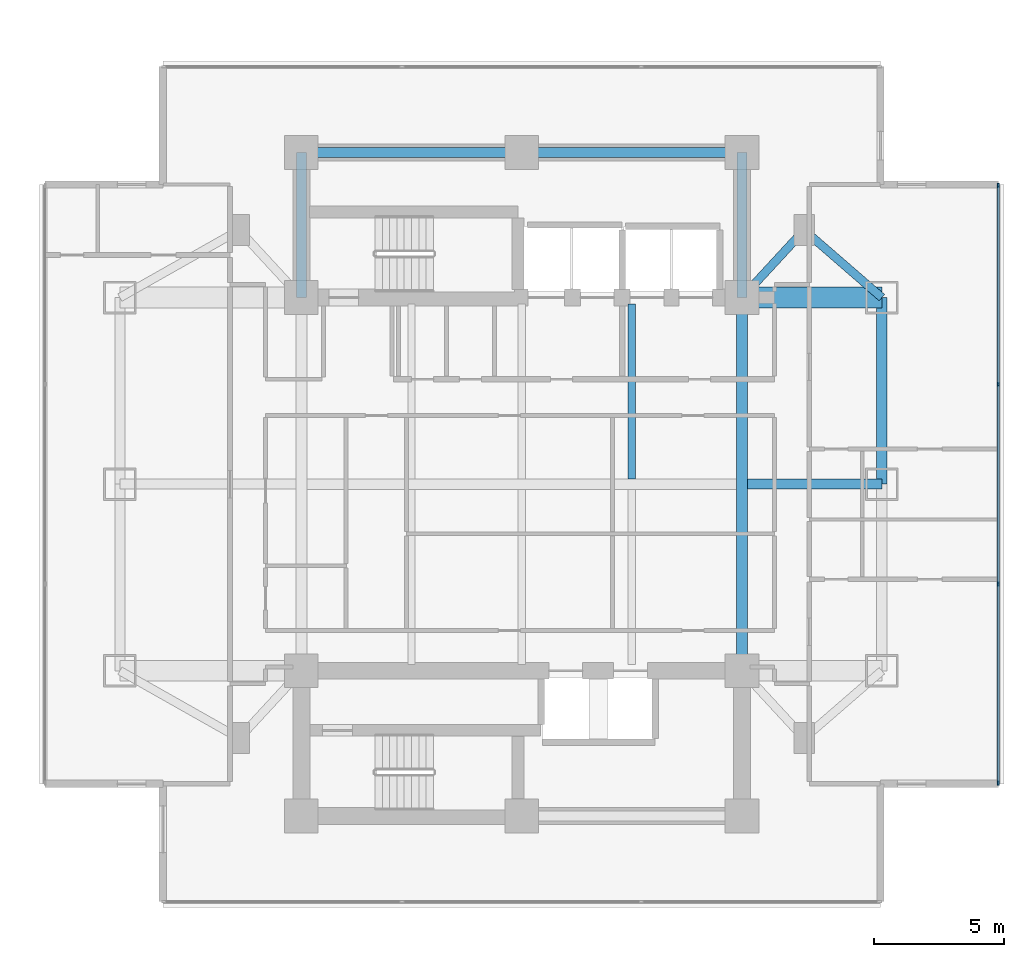
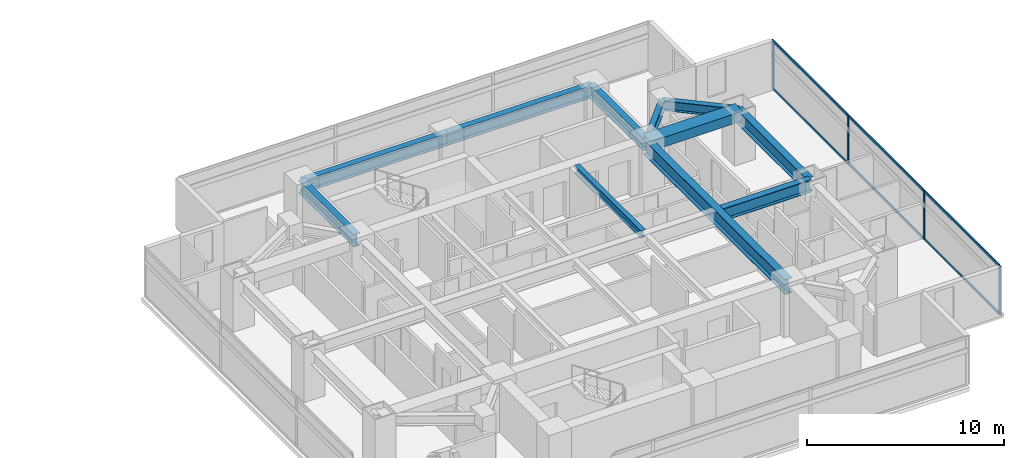
# One storey, part 10 of 24: 11 beams, 10 members, 1 element without a shape of its own.
"""IFC4 building model written with IfcOpenShell, lengths in metres."""

from ifc_helpers import new_model, si_unit, direction, frame, origin, origin_2d, place, context, subcontext, project, spatial, rectangle, i_section, extrude, material, material_profile, profile_set, type_object, element, aggregate, save


model = new_model("IFC4")

# Units and contexts
model_context = context("Model", 3, precision=1e-05, world=origin(), true_north=direction((0.0, 1.0)))
body_context = subcontext(model_context, "Body", "Model", "MODEL_VIEW")
ifc_project = project(units=[si_unit("LENGTHUNIT", "METRE"), si_unit("AREAUNIT", "SQUARE_METRE"), si_unit("VOLUMEUNIT", "CUBIC_METRE"), si_unit("PLANEANGLEUNIT", "RADIAN"), si_unit("MASSUNIT", "GRAM", prefix="KILO")], contexts=[model_context])

# Site, building, storey
site_placement = place(None, origin())
site = spatial("IfcSite", under=ifc_project, at=site_placement, CompositionType="ELEMENT")
building_placement = place(site_placement, origin())
building = spatial("IfcBuilding", under=site, at=building_placement, Name="Mirazonda Arch Towers", CompositionType="ELEMENT")
storey_placement = place(building_placement, frame((0.0, 0.0, 65.300048828125)))
storey = spatial("IfcBuildingStorey", under=building, at=storey_placement, Name="L18", CompositionType="ELEMENT", Elevation=65.300048828125)

# Beams
ifc_material_1 = material(Name="Steel ASTM A992 Grade 50", Category="steel")
ifc_material_profile_1 = material_profile(ifc_material_1, i_section(OverallWidth=0.39990234375, OverallDepth=0.85595703125, WebThickness=0.018310546875, FlangeThickness=0.029296875, at=origin_2d()), Name="W33X201")
ifc_profile_set_1 = profile_set([ifc_material_profile_1], Name="Steel ASTM A992 Grade 50")
beam_type_1 = type_object("IfcBeamType", Name="BM-EXT-W33X201", PredefinedType="USERDEFINED", material=ifc_profile_set_1)
beam_1_placement = place(storey_placement, frame((90.39990234375, 28.0, 2.6318359375), z_axis=(0.0, 1.0, 0.0), x_axis=(-1.0, 0.0, 0.0)))
element("IfcBeam", 1, at=beam_1_placement, inside=storey, type_object=beam_type_1, Name="L18 Floor Beam BM-T2-L18-NS-E-28", ObjectType="GIRDER", PredefinedType="USERDEFINED", context=body_context, shape_type="SweptSolid", body=[
    extrude(i_section(OverallWidth=0.39990234375, OverallDepth=0.85595703125, WebThickness=0.018310546875, FlangeThickness=0.029296875, at=origin_2d()), origin(), (0.0, 0.0, 1.0), 7.199951171875),
])
ifc_material_profile_2 = material_profile(ifc_material_1, i_section(OverallWidth=0.280029296875, OverallDepth=0.462890625, WebThickness=0.0107421875, FlangeThickness=0.017333984375, at=origin_2d()), Name="W18X76")
ifc_profile_set_2 = profile_set([ifc_material_profile_2], Name="Steel ASTM A992 Grade 50")
beam_type_2 = type_object("IfcBeamType", Name="BM-INT-W18X76", PredefinedType="JOIST", material=ifc_profile_set_2)
beam_2_placement = place(storey_placement, frame((80.75, 28.205078125, 2.828369140625), z_axis=(0.0, 1.0, 0.0), x_axis=(-1.0, 0.0, 0.0)))
element("IfcBeam", 2, at=beam_2_placement, inside=storey, type_object=beam_type_2, Name="L18 Floor Beam BM-T2-L18-J-807-28", PredefinedType="JOIST", context=body_context, shape_type="SweptSolid", body=[
    extrude(i_section(OverallWidth=0.280029296875, OverallDepth=0.462890625, WebThickness=0.0107421875, FlangeThickness=0.017333984375, at=origin_2d()), origin(), (0.0, 0.0, 1.0), 6.7548828125),
])
ifc_material_profile_3 = material_profile(ifc_material_1, i_section(OverallWidth=0.324951171875, OverallDepth=0.615966796875, WebThickness=0.013916015625, FlangeThickness=0.021484375, at=origin_2d()), Name="W24X117")
ifc_profile_set_3 = profile_set([ifc_material_profile_3], Name="Steel ASTM A992 Grade 50")
beam_type_3 = type_object("IfcBeamType", Name="BM-INT-W24X117", PredefinedType="BEAM", material=ifc_profile_set_3)
beam_3_placement = place(storey_placement, frame((87.39990234375, 37.800048828125, 2.751953125), z_axis=(-0.678251444854, -0.734829897019, 0.0), x_axis=(0.734829897019, -0.678251444854, 0.0)))
element("IfcBeam", 3, at=beam_3_placement, inside=storey, type_object=beam_type_3, Name="L18 Floor Beam BM-T2-L18-PL-NE1", PredefinedType="BEAM", context=body_context, shape_type="SweptSolid", body=[
    extrude(i_section(OverallWidth=0.324951171875, OverallDepth=0.615966796875, WebThickness=0.013916015625, FlangeThickness=0.021484375, at=origin_2d()), origin(), (0.0, 0.0, 1.0), 3.538330078125),
])
beam_4_placement = place(storey_placement, frame((87.39990234375, 37.800048828125, 2.751953125), z_axis=(0.755676908098, -0.654944585876, 0.0), x_axis=(0.654944585876, 0.755676908098, 0.0)))
element("IfcBeam", 4, at=beam_4_placement, inside=storey, type_object=beam_type_3, Name="L18 Floor Beam BM-T2-L18-PL-NE2", PredefinedType="BEAM", context=body_context, shape_type="SweptSolid", body=[
    extrude(i_section(OverallWidth=0.324951171875, OverallDepth=0.615966796875, WebThickness=0.013916015625, FlangeThickness=0.021484375, at=origin_2d()), origin(), (0.0, 0.0, 1.0), 3.969970703125),
])
ifc_material_profile_4 = material_profile(ifc_material_1, i_section(OverallWidth=0.381103515625, OverallDepth=0.77294921875, WebThickness=0.0166015625, FlangeThickness=0.027099609375, at=origin_2d()), Name="W30X173")
ifc_profile_set_4 = profile_set([ifc_material_profile_4], Name="Steel ASTM A992 Grade 50")
beam_type_4 = type_object("IfcBeamType", Name="BM-INT-W30X173", PredefinedType="USERDEFINED", material=ifc_profile_set_4)
for number, where, z_axis, x_axis, name in (
    (5, (68.0, 40.800048828125, 2.67333984375), (1.0, 0.0, 0.0), (0.0, 1.0, 0.0), "L18 Floor Beam BM-T2-L18-CN1"),
    (6, (76.5, 40.800048828125, 2.67333984375), (1.0, 0.0, 0.0), (0.0, 1.0, 0.0), "L18 Floor Beam BM-T2-L18-CN2"),
):
    element("IfcBeam", number, at=place(storey_placement, frame(where, z_axis=z_axis, x_axis=x_axis)), inside=storey, type_object=beam_type_4, Name=name, ObjectType="GIRDER", PredefinedType="USERDEFINED", context=body_context, shape_type="SweptSolid", body=[
        extrude(i_section(OverallWidth=0.381103515625, OverallDepth=0.77294921875, WebThickness=0.0166015625, FlangeThickness=0.027099609375, at=origin_2d()), origin(), (0.0, 0.0, 1.0), 8.5),
    ])
for number, where, z_axis, x_axis, name in (
    (7, (68.0, 35.199951171875, 2.67333984375), (0.0, 1.0, 0.0), (-1.0, 0.0, 0.0), "L18 Floor Beam BM-T2-L18-CNW"),
    (8, (85.0, 35.199951171875, 2.67333984375), (0.0, 1.0, 0.0), (-1.0, 0.0, 0.0), "L18 Floor Beam BM-T2-L18-CNE"),
):
    element("IfcBeam", number, at=place(storey_placement, frame(where, z_axis=z_axis, x_axis=x_axis)), inside=storey, type_object=beam_type_4, Name=name, ObjectType="GIRDER", PredefinedType="USERDEFINED", context=body_context, shape_type="SweptSolid", body=[
        extrude(i_section(OverallWidth=0.381103515625, OverallDepth=0.77294921875, WebThickness=0.0166015625, FlangeThickness=0.027099609375, at=origin_2d()), origin(), (0.0, 0.0, 1.0), 5.60009765625),
    ])
beam_5_placement = place(storey_placement, frame((85.208984375, 28.0, 2.67333984375), z_axis=(1.0, 0.0, 0.0), x_axis=(0.0, 1.0, 0.0)))
element("IfcBeam", 9, at=beam_5_placement, inside=storey, type_object=beam_type_4, Name="L18 Floor Beam BM-T2-L18-GE2", ObjectType="GIRDER", PredefinedType="USERDEFINED", context=body_context, shape_type="SweptSolid", body=[
    extrude(i_section(OverallWidth=0.381103515625, OverallDepth=0.77294921875, WebThickness=0.0166015625, FlangeThickness=0.027099609375, at=origin_2d()), origin(), (0.0, 0.0, 1.0), 5.19091796875),
])
ifc_material_profile_5 = material_profile(ifc_material_1, i_section(OverallWidth=0.41796875, OverallDepth=0.927001953125, WebThickness=0.019287109375, FlangeThickness=0.031982421875, at=origin_2d()), Name="W36X231")
ifc_profile_set_5 = profile_set([ifc_material_profile_5], Name="Steel ASTM A992 Grade 50")
beam_type_5 = type_object("IfcBeamType", Name="BM-INT-W36X231", PredefinedType="USERDEFINED", material=ifc_profile_set_5)
beam_6_placement = place(storey_placement, frame((85.0, 20.800048828125, 2.596435546875), z_axis=(0.0, 1.0, 0.0), x_axis=(-1.0, 0.0, 0.0)))
element("IfcBeam", 10, at=beam_6_placement, inside=storey, type_object=beam_type_5, Name="L18 Floor Beam BM-T2-L18-NS-CE-FULL", ObjectType="GIRDER", PredefinedType="USERDEFINED", context=body_context, shape_type="SweptSolid", body=[
    extrude(i_section(OverallWidth=0.41796875, OverallDepth=0.927001953125, WebThickness=0.019287109375, FlangeThickness=0.031982421875, at=origin_2d()), origin(), (0.0, 0.0, 1.0), 14.39990234375),
])
ifc_material_2 = material(Name="Concrete C60/75", Category="concrete")
ifc_material_profile_6 = material_profile(ifc_material_2, rectangle(XDim=0.800048828125, YDim=0.60009765625, at=origin_2d()), Name="RCCB800x600")
ifc_profile_set_6 = profile_set([ifc_material_profile_6], Name="Concrete C60/75")
beam_type_6 = type_object("IfcBeamType", Name="CB-INT-RCCB800x600", PredefinedType="SPANDREL", material=ifc_profile_set_6)
beam_7_placement = place(storey_placement, frame((85.0, 35.199951171875, 2.760009765625), z_axis=(1.0, 0.0, 0.0), x_axis=(0.0, 1.0, 0.0)))
element("IfcBeam", 11, at=beam_7_placement, inside=storey, type_object=beam_type_6, Name="L18 Floor Beam CBC-T2-L18-NE", PredefinedType="SPANDREL", context=body_context, shape_type="SweptSolid", body=[
    extrude(rectangle(XDim=0.800048828125, YDim=0.60009765625, at=origin_2d()), origin(), (0.0, 0.0, 1.0), 5.39990234375),
])

# Curtain wall, members
ifc_material_3 = material(Name="Anodised Aluminium and Low-E Glass", Category="aluminium")
curtain_wall_type = type_object("IfcCurtainWallType", Name="CW-HTL-UNIT", PredefinedType="NOTDEFINED", material=ifc_material_3)
curtain_wall_placement = place(storey_placement, origin())
curtain_wall = element("IfcCurtainWall", 12, at=curtain_wall_placement, inside=storey, type_object=curtain_wall_type, Name="L18 T2 E Facade CW-L18-T2-E", PredefinedType="NOTDEFINED")
ifc_material_4 = material(Name="Anodised Aluminium Alloy", Category="aluminium")
ifc_material_profile_7 = material_profile(ifc_material_4, rectangle(XDim=0.074951171875, YDim=0.1650390625, at=origin_2d()), Name="ALU-MULL-75x165")
ifc_profile_set_7 = profile_set([ifc_material_profile_7], Name="Anodised Aluminium Alloy")
member_type_1 = type_object("IfcMemberType", Name="MULL-CW-HTL-UNIT", PredefinedType="MULLION", material=ifc_profile_set_7)
member_1_placement = place(storey_placement, frame((94.89208984375, 16.474365234375, 0.0), z_axis=(0.0, 0.0, 1.0), x_axis=(-1.0, 0.0, 0.0)))
member_1 = element("IfcMember", 13, at=member_1_placement, type_object=member_type_1, Name="CW-112 mullion 1", PredefinedType="MULLION", context=body_context, shape_type="SweptSolid", body=[
    extrude(rectangle(XDim=0.074951171875, YDim=0.1650390625, at=origin_2d()), origin(), (0.0, 0.0, 1.0), 3.0400390625),
])
member_2_placement = place(storey_placement, frame((94.89208984375, 24.1455078125, 0.0), z_axis=(0.0, 0.0, 1.0), x_axis=(-1.0, 0.0, 0.0)))
member_2 = element("IfcMember", 14, at=member_2_placement, type_object=member_type_1, Name="CW-112 mullion 2", PredefinedType="MULLION", context=body_context, shape_type="SweptSolid", body=[
    extrude(rectangle(XDim=0.074951171875, YDim=0.1650390625, at=origin_2d()), origin(), (0.0, 0.0, 1.0), 3.0400390625),
])
member_3_placement = place(storey_placement, frame((94.89208984375, 31.8544921875, 0.0), z_axis=(0.0, 0.0, 1.0), x_axis=(-1.0, 0.0, 0.0)))
member_3 = element("IfcMember", 15, at=member_3_placement, type_object=member_type_1, Name="CW-112 mullion 3", PredefinedType="MULLION", context=body_context, shape_type="SweptSolid", body=[
    extrude(rectangle(XDim=0.074951171875, YDim=0.1650390625, at=origin_2d()), origin(), (0.0, 0.0, 1.0), 3.0400390625),
])
member_4_placement = place(storey_placement, frame((94.89208984375, 39.525634765625, 0.0), z_axis=(0.0, 0.0, 1.0), x_axis=(-1.0, 0.0, 0.0)))
member_4 = element("IfcMember", 16, at=member_4_placement, type_object=member_type_1, Name="CW-112 mullion 4", PredefinedType="MULLION", context=body_context, shape_type="SweptSolid", body=[
    extrude(rectangle(XDim=0.074951171875, YDim=0.1650390625, at=origin_2d()), origin(), (0.0, 0.0, 1.0), 3.0400390625),
])
ifc_material_profile_8 = material_profile(ifc_material_4, rectangle(XDim=0.074951171875, YDim=0.14501953125, at=origin_2d()), Name="ALU-TRAN-75x145")
ifc_profile_set_8 = profile_set([ifc_material_profile_8], Name="Anodised Aluminium Alloy")
member_type_2 = type_object("IfcMemberType", Name="TRAN-CW-HTL-UNIT", PredefinedType="USERDEFINED", material=ifc_profile_set_8)
member_5_placement = place(storey_placement, frame((94.89208984375, 16.51171875, 0.037353515625), z_axis=(0.0, 1.0, 0.0), x_axis=(-1.0, 0.0, 0.0)))
member_5 = element("IfcMember", 17, at=member_5_placement, type_object=member_type_2, Name="CW-112 transom 1.1", ObjectType="TRANSOM", PredefinedType="USERDEFINED", context=body_context, shape_type="SweptSolid", body=[
    extrude(rectangle(XDim=0.074951171875, YDim=0.14501953125, at=origin_2d()), origin(), (0.0, 0.0, 1.0), 7.596435546875),
])
member_6_placement = place(storey_placement, frame((94.89208984375, 16.51171875, 3.00244140625), z_axis=(0.0, 1.0, 0.0), x_axis=(-1.0, 0.0, 0.0)))
member_6 = element("IfcMember", 18, at=member_6_placement, type_object=member_type_2, Name="CW-112 transom 1.2", ObjectType="TRANSOM", PredefinedType="USERDEFINED", context=body_context, shape_type="SweptSolid", body=[
    extrude(rectangle(XDim=0.074951171875, YDim=0.14501953125, at=origin_2d()), origin(), (0.0, 0.0, 1.0), 7.596435546875),
])
member_7_placement = place(storey_placement, frame((94.89208984375, 24.18310546875, 0.037353515625), z_axis=(0.0, 1.0, 0.0), x_axis=(-1.0, 0.0, 0.0)))
member_7 = element("IfcMember", 19, at=member_7_placement, type_object=member_type_2, Name="CW-112 transom 2.1", ObjectType="TRANSOM", PredefinedType="USERDEFINED", context=body_context, shape_type="SweptSolid", body=[
    extrude(rectangle(XDim=0.074951171875, YDim=0.14501953125, at=origin_2d()), origin(), (0.0, 0.0, 1.0), 7.6337890625),
])
member_8_placement = place(storey_placement, frame((94.89208984375, 24.18310546875, 3.00244140625), z_axis=(0.0, 1.0, 0.0), x_axis=(-1.0, 0.0, 0.0)))
member_8 = element("IfcMember", 20, at=member_8_placement, type_object=member_type_2, Name="CW-112 transom 2.2", ObjectType="TRANSOM", PredefinedType="USERDEFINED", context=body_context, shape_type="SweptSolid", body=[
    extrude(rectangle(XDim=0.074951171875, YDim=0.14501953125, at=origin_2d()), origin(), (0.0, 0.0, 1.0), 7.6337890625),
])
member_9_placement = place(storey_placement, frame((94.89208984375, 31.891845703125, 0.037353515625), z_axis=(0.0, 1.0, 0.0), x_axis=(-1.0, 0.0, 0.0)))
member_9 = element("IfcMember", 21, at=member_9_placement, type_object=member_type_2, Name="CW-112 transom 3.1", ObjectType="TRANSOM", PredefinedType="USERDEFINED", context=body_context, shape_type="SweptSolid", body=[
    extrude(rectangle(XDim=0.074951171875, YDim=0.14501953125, at=origin_2d()), origin(), (0.0, 0.0, 1.0), 7.596435546875),
])
member_10_placement = place(storey_placement, frame((94.89208984375, 31.891845703125, 3.00244140625), z_axis=(0.0, 1.0, 0.0), x_axis=(-1.0, 0.0, 0.0)))
member_10 = element("IfcMember", 22, at=member_10_placement, type_object=member_type_2, Name="CW-112 transom 3.2", ObjectType="TRANSOM", PredefinedType="USERDEFINED", context=body_context, shape_type="SweptSolid", body=[
    extrude(rectangle(XDim=0.074951171875, YDim=0.14501953125, at=origin_2d()), origin(), (0.0, 0.0, 1.0), 7.596435546875),
])
aggregate(curtain_wall, [member_1, member_2, member_3, member_4, member_5, member_6, member_7, member_8, member_9, member_10])

save(model, "model.ifc")
